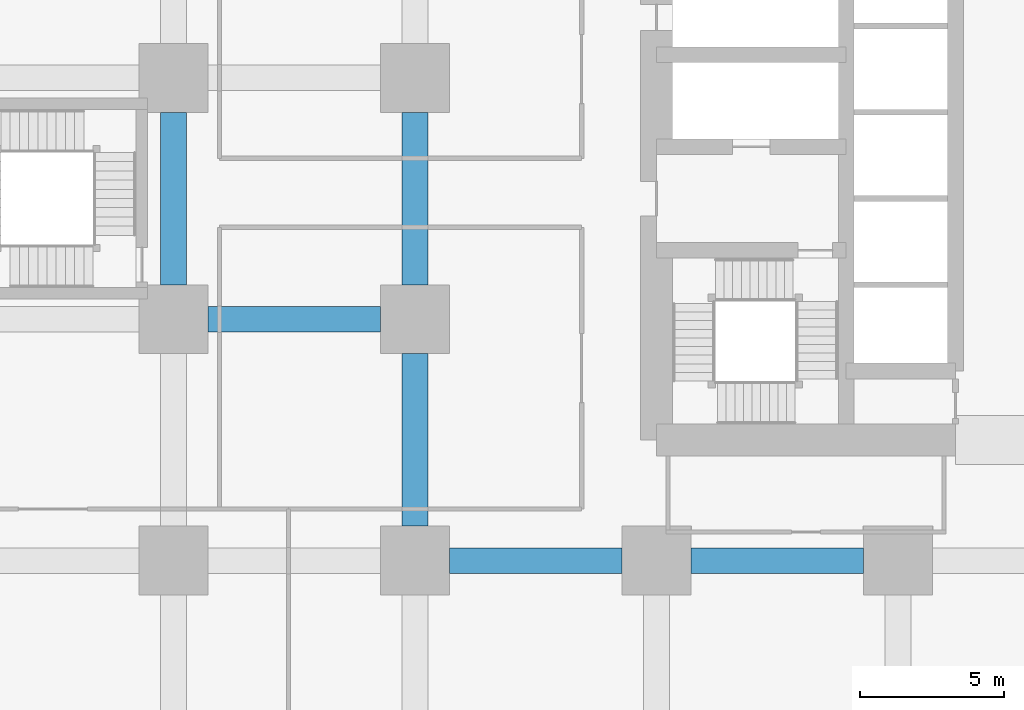
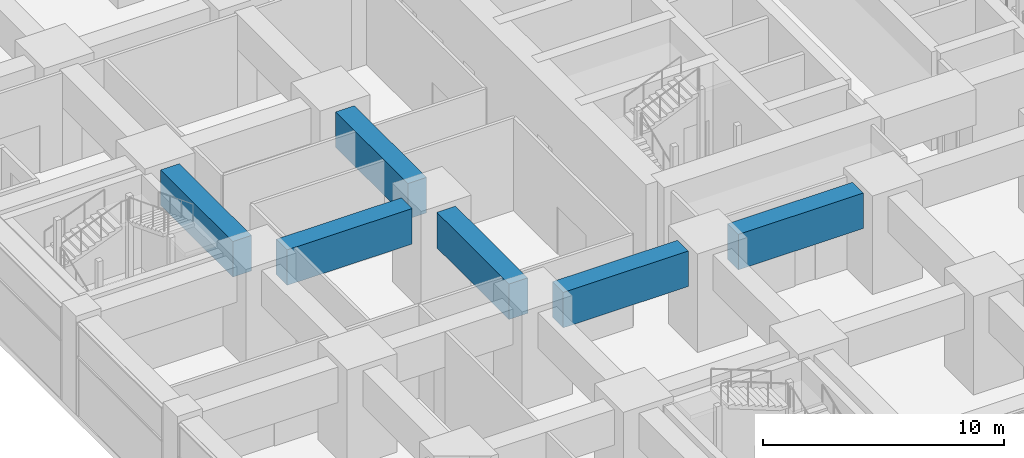
# One storey, part 12 of 49: 6 beams.
"""IFC4 building model written with IfcOpenShell, lengths in metres."""

from ifc_helpers import new_model, si_unit, direction, frame, origin, origin_2d, place, context, subcontext, project, spatial, rectangle, extrude, material, material_profile, profile_set, type_object, element, save


model = new_model("IFC4")

# Units and contexts
model_context = context("Model", 3, precision=1e-05, world=origin(), true_north=direction((0.0, 1.0)))
body_context = subcontext(model_context, "Body", "Model", "MODEL_VIEW")
ifc_project = project(units=[si_unit("LENGTHUNIT", "METRE"), si_unit("AREAUNIT", "SQUARE_METRE"), si_unit("VOLUMEUNIT", "CUBIC_METRE"), si_unit("PLANEANGLEUNIT", "RADIAN"), si_unit("MASSUNIT", "GRAM", prefix="KILO")], contexts=[model_context])

# Site, building, storey
site_placement = place(None, origin())
site = spatial("IfcSite", under=ifc_project, at=site_placement, CompositionType="ELEMENT")
building_placement = place(site_placement, origin())
building = spatial("IfcBuilding", under=site, at=building_placement, Name="Rekha Terrace Tower", CompositionType="ELEMENT")
storey_placement = place(building_placement, frame((0.0, 0.0, 10.39990234375)))
storey = spatial("IfcBuildingStorey", under=building, at=storey_placement, Name="L02", CompositionType="ELEMENT", Elevation=10.39990234375)

# Beams
ifc_material = material(Name="Concrete M60", Category="concrete")
ifc_material_profile = material_profile(ifc_material, rectangle(XDim=0.89990234375, YDim=1.800048828125, at=origin_2d()), Name="RC 900x1800")
ifc_profile_set = profile_set([ifc_material_profile], Name="Concrete M60")
beam_type = type_object("IfcBeamType", Name="G1 900x1800 podium floor beam", PredefinedType="BEAM", material=ifc_profile_set)
for number, where, z_axis, x_axis, name in (
    (1, (9.60009765625, 25.199951171875, 3.800048828125), (1.0, 0.0, 0.0), (0.0, 1.0, 0.0), "Beam G1 2D-3D under L03"),
    (2, (8.39990234375, 26.39990234375, 3.800048828125), (0.0, 1.0, 0.0), (-1.0, 0.0, 0.0), "Beam G1 2D-2E under L03"),
    (3, (18.0, 16.800048828125, 3.800048828125), (1.0, 0.0, 0.0), (0.0, 1.0, 0.0), "Beam G1 3C-4C under L03"),
    (4, (16.800048828125, 18.0, 3.800048828125), (0.0, 1.0, 0.0), (-1.0, 0.0, 0.0), "Beam G1 3C-3D under L03"),
    (5, (16.800048828125, 26.39990234375, 3.800048828125), (0.0, 1.0, 0.0), (-1.0, 0.0, 0.0), "Beam G1 3D-3E under L03"),
    (6, (26.39990234375, 16.800048828125, 3.800048828125), (1.0, 0.0, 0.0), (0.0, 1.0, 0.0), "Beam G1 4C-5C under L03"),
):
    element("IfcBeam", number, at=place(storey_placement, frame(where, z_axis=z_axis, x_axis=x_axis)), inside=storey, type_object=beam_type, Name=name, PredefinedType="BEAM", context=body_context, shape_type="SweptSolid", body=[
        extrude(rectangle(XDim=0.89990234375, YDim=1.800048828125, at=origin_2d()), origin(), (0.0, 0.0, 1.0), 6.0),
    ])

save(model, "model.ifc")
